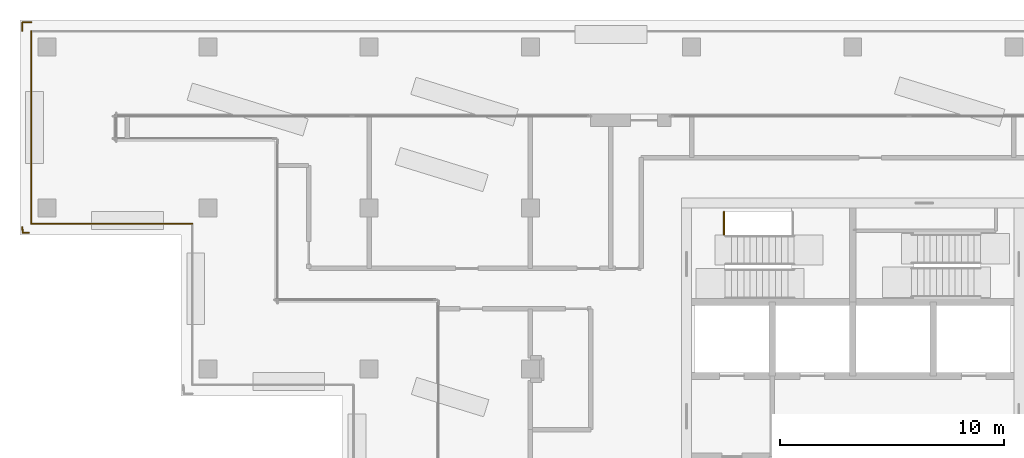
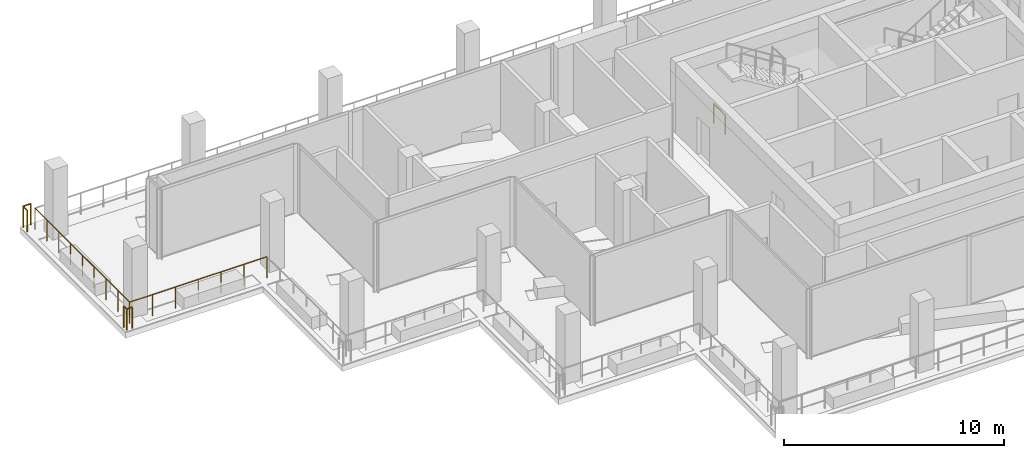
# One storey, part 17 of 20: 7 railings.
"""IFC4 building model written with IfcOpenShell, lengths in metres."""

import ifcopenshell
import ifcopenshell.guid

model = None  # the IFC model being written
_history = None  # IfcOwnerHistory: only IFC2X3 demands one
_inside = {}  # id of a spatial element -> (the spatial element, [elements in it])
_under = {}  # id of a project, library or spatial element -> (it, [spatial elements below it])
_declared = {}  # id of a project -> (the project, [libraries it declares])
_typed = {}  # id of a type object -> (the type object, [elements of that type])
_made_of = {}  # id of a material, layer set ... -> (it, [elements and type objects made of it])


def new_model(schema):
    """Start an empty IFC model of exactly this schema.

    Asked for "IFC4X3", IfcOpenShell would pick the latest addendum, in which some entities
    have other attributes; the version numbers below select the first issue.
    IFC2X3 requires an IfcOwnerHistory on every rooted entity: one is made here for all.
    """
    global model, _history
    if schema == "IFC4X3":
        model = ifcopenshell.file(schema_version=(4, 3, 0, 0))
    else:
        model = ifcopenshell.file(schema=schema)
    _inside.clear()
    _under.clear()
    _declared.clear()
    _typed.clear()
    _made_of.clear()
    _history = None
    if model.schema == "IFC2X3":
        org = make("IfcOrganization", Name="unknown")
        user = make(
            "IfcPersonAndOrganization",
            ThePerson=make("IfcPerson", FamilyName="unknown"),
            TheOrganization=org,
        )
        app = make(
            "IfcApplication",
            ApplicationDeveloper=org,
            Version="unknown",
            ApplicationFullName="unknown",
            ApplicationIdentifier="unknown",
        )
        _history = make(
            "IfcOwnerHistory",
            OwningUser=user,
            OwningApplication=app,
            ChangeAction="ADDED",
            CreationDate=0,
        )
    return model


def make(cls, **values):
    """One entity of the class cls with the attributes given. An attribute that is None is left unset."""
    return model.create_entity(
        cls, **{name: value for name, value in values.items() if value is not None}
    )


def rooted(cls, **values):
    """An entity with a GlobalId (a new one), such as an element, a storey or a relation."""
    return make(cls, GlobalId=ifcopenshell.guid.new(), OwnerHistory=_history, **values)


def si_unit(unit_type, name, prefix=None):
    """IfcSIUnit, for example si_unit("LENGTHUNIT", "METRE", prefix="MILLI")."""
    return make("IfcSIUnit", UnitType=unit_type, Prefix=prefix, Name=name)


def assignment(units):
    """IfcUnitAssignment: the units of a project."""
    return None if units is None else make("IfcUnitAssignment", Units=units)


def point(xyz):
    """IfcCartesianPoint."""
    return None if xyz is None else make("IfcCartesianPoint", Coordinates=xyz)


def direction(xyz):
    """IfcDirection."""
    return None if xyz is None else make("IfcDirection", DirectionRatios=xyz)


def frame(location, z_axis=None, x_axis=None):
    """IfcAxis2Placement3D, a coordinate frame: its origin and axes. An axis left out is left unset."""
    return make(
        "IfcAxis2Placement3D",
        Location=point(location),
        Axis=direction(z_axis),
        RefDirection=direction(x_axis),
    )


def frame_2d(location, x_axis=None):
    """IfcAxis2Placement2D, a coordinate frame in the plane: its origin and x axis."""
    return make(
        "IfcAxis2Placement2D", Location=point(location), RefDirection=direction(x_axis)
    )


def origin():
    """The frame at (0, 0, 0) with its axes left unset."""
    return frame((0.0, 0.0, 0.0))


def origin_2d():
    """The frame at (0, 0) in the plane with its x axis left unset."""
    return frame_2d((0.0, 0.0))


def place(relative_to, where):
    """IfcLocalPlacement: puts the frame where relative to a parent placement (None: the world)."""
    return make(
        "IfcLocalPlacement", PlacementRelTo=relative_to, RelativePlacement=where
    )


def context(
    kind, dimensions, precision=None, world=None, true_north=None, identifier=None
):
    """IfcGeometricRepresentationContext, for example the 3D "Model" context."""
    return make(
        "IfcGeometricRepresentationContext",
        ContextIdentifier=identifier,
        ContextType=kind,
        CoordinateSpaceDimension=dimensions,
        Precision=precision,
        WorldCoordinateSystem=world,
        TrueNorth=true_north,
    )


def subcontext(parent, identifier, kind, view, scale=None):
    """IfcGeometricRepresentationSubContext, for example "Body" below "Model"."""
    return make(
        "IfcGeometricRepresentationSubContext",
        ContextIdentifier=identifier,
        ContextType=kind,
        ParentContext=parent,
        TargetScale=scale,
        TargetView=view,
    )


def project(units=None, contexts=None):
    """IfcProject with its units and contexts."""
    return rooted(
        "IfcProject",
        Name="project",
        RepresentationContexts=contexts,
        UnitsInContext=assignment(units),
    )


def spatial(cls, under=None, at=None, **own):
    """A site, building, storey or space (cls), placed at a placement, below another one or the project."""
    s = rooted(cls, ObjectPlacement=at, **own)
    if under is not None:
        _under.setdefault(under.id(), (under, []))[1].append(s)
    return s


def profile(cls, at=None, kind="AREA", **sizes):
    """A parametric profile (cls). Its sizes go by their IFC names, for example OverallWidth=200.0."""
    return make(cls, ProfileType=kind, Position=at, **sizes)


def circle(**sizes):
    """IfcCircleProfileDef."""
    return profile("IfcCircleProfileDef", **sizes)


def extrude(swept, where, along, depth):
    """IfcExtrudedAreaSolid: the profile swept, set in the frame where, extruded along a direction by depth."""
    return make(
        "IfcExtrudedAreaSolid",
        SweptArea=swept,
        Position=where,
        ExtrudedDirection=direction(along),
        Depth=depth,
    )


def shape(context_of_items, identifier, shape_type, items):
    """IfcShapeRepresentation: the items that make up one representation, for example the "Body"."""
    return make(
        "IfcShapeRepresentation",
        ContextOfItems=context_of_items,
        RepresentationIdentifier=identifier,
        RepresentationType=shape_type,
        Items=items,
    )


def material(Name=None, Category=None):
    """IfcMaterial."""
    return make("IfcMaterial", Name=Name, Category=Category)


def made_of(thing, what):
    """Note that an element or type object is made of a material, layer set ...; save() writes the relation."""
    if what is not None:
        _made_of.setdefault(what.id(), (what, []))[1].append(thing)
    return thing


def type_object(cls, material=None, **own):
    """A type object (cls), such as IfcWallType, which elements share."""
    return made_of(rooted(cls, **own), material)


def element(
    cls,
    number,
    at=None,
    inside=None,
    cuts=None,
    type_object=None,
    material=None,
    context=None,
    identifier="Body",
    shape_type=None,
    held_by="IfcProductDefinitionShape",
    body=None,
    shapes=None,
    **own,
):
    """One element of the class cls, such as IfcWall. Its Tag is "e" and its number.

    at: its placement. inside: the storey or other place that contains it. cuts: it is an
    opening in that element (IfcRelVoidsElement). A single representation is given by context,
    identifier, shape_type and body (its items); several are given by shapes. held_by: the class
    of the entity that holds the representations. save() writes the other relations.
    """
    e = rooted(cls, Tag="e%d" % number, ObjectPlacement=at, **own)
    if body is not None:
        shapes = [shape(context, identifier, shape_type, body)]
    if shapes is not None:
        e.Representation = make(held_by, Representations=shapes)
    if inside is not None:
        _inside.setdefault(inside.id(), (inside, []))[1].append(e)
    if cuts is not None:
        rooted(
            "IfcRelVoidsElement", RelatingBuildingElement=cuts, RelatedOpeningElement=e
        )
    if type_object is not None:
        _typed.setdefault(type_object.id(), (type_object, []))[1].append(e)
    return made_of(e, material)


def aggregate(whole, parts):
    """IfcRelAggregates: a whole, such as a stair, and the parts it consists of."""
    return rooted("IfcRelAggregates", RelatingObject=whole, RelatedObjects=parts)


def save(model, path):
    """Write the relations noted so far, then the file.

    IfcRelAggregates (storeys below a building ...), IfcRelContainedInSpatialStructure (elements
    in a storey), IfcRelDefinesByType, IfcRelAssociatesMaterial and IfcRelDeclares: one each for
    every whole, place, type object, material and project.
    """
    for whole, parts in _under.values():
        aggregate(whole, parts)
    for where, things in _inside.values():
        rooted(
            "IfcRelContainedInSpatialStructure",
            RelatedElements=things,
            RelatingStructure=where,
        )
    for kind, things in _typed.values():
        rooted("IfcRelDefinesByType", RelatedObjects=things, RelatingType=kind)
    for what, things in _made_of.values():
        rooted("IfcRelAssociatesMaterial", RelatedObjects=things, RelatingMaterial=what)
    for by, libraries in _declared.values():
        rooted("IfcRelDeclares", RelatingContext=by, RelatedDefinitions=libraries)
    model.write(path)


model = new_model("IFC4")

# Units and contexts
model_context = context("Model", 3, precision=1e-05, world=origin(), true_north=direction((0.0, 1.0)))
body_context = subcontext(model_context, "Body", "Model", "MODEL_VIEW")
ifc_project = project(units=[si_unit("LENGTHUNIT", "METRE"), si_unit("AREAUNIT", "SQUARE_METRE"), si_unit("VOLUMEUNIT", "CUBIC_METRE"), si_unit("PLANEANGLEUNIT", "RADIAN"), si_unit("MASSUNIT", "GRAM", prefix="KILO")], contexts=[model_context])

# Site, building, storey
site_placement = place(None, origin())
site = spatial("IfcSite", under=ifc_project, at=site_placement, CompositionType="ELEMENT")
building_placement = place(site_placement, origin())
building = spatial("IfcBuilding", under=site, at=building_placement, Name="Windrow Commons", CompositionType="ELEMENT")
storey_placement = place(building_placement, frame((0.0, 0.0, 239.6)))
storey = spatial("IfcBuildingStorey", under=building, at=storey_placement, Name="L65", CompositionType="ELEMENT", Elevation=239.6)

# Railings
ifc_material_1 = material(Name="Steel S355", Category="steel")
railing_type_1 = type_object("IfcRailingType", Name="Core stair guard 1100", PredefinedType="GUARDRAIL", material=ifc_material_1)
railing_1_placement = place(storey_placement, frame((59.05, 63.6, 0.0)))
element("IfcRailing", 1, at=railing_1_placement, inside=storey, type_object=railing_type_1, Name="L65 ST-A1 stair guard 3", PredefinedType="GUARDRAIL", context=body_context, shape_type="SweptSolid", body=[
    extrude(circle(Radius=0.024, at=origin_2d()), frame((0.0, 0.0, 1.076), z_axis=(0.0, 1.0, 0.0), x_axis=(-1.0, 0.0, 0.0)), (0.0, 0.0, 1.0), 1.03),
    extrude(circle(Radius=0.021, at=origin_2d()), origin(), (0.0, 0.0, 1.0), 1.052),
    extrude(circle(Radius=0.021, at=origin_2d()), frame((0.0, 1.03, 0.0)), (0.0, 0.0, 1.0), 1.052),
])
ifc_material_2 = material(Name="Stainless steel S316 balustrade with toughened glass infill", Category="steel")
railing_type_2 = type_object("IfcRailingType", Name="Terrace guard 1200 podium", PredefinedType="BALUSTRADE", material=ifc_material_2)
railing_2_placement = place(storey_placement, frame((35.3, 64.1, 0.05)))
element("IfcRailing", 2, at=railing_2_placement, inside=storey, type_object=railing_type_2, Name="Guard TR-L65-1.E7", PredefinedType="BALUSTRADE", context=body_context, shape_type="SweptSolid", body=[
    extrude(circle(Radius=0.025, at=origin_2d()), frame((0.0, 0.0, 1.175), z_axis=(-1.0, 0.0, 0.0), x_axis=(0.0, -1.0, 0.0)), (0.0, 0.0, 1.0), 7.2),
    extrude(circle(Radius=0.02, at=origin_2d()), origin(), (0.0, 0.0, 1.0), 1.15),
    extrude(circle(Radius=0.02, at=origin_2d()), frame((-1.2, 0.0, 0.0)), (0.0, 0.0, 1.0), 1.15),
    extrude(circle(Radius=0.02, at=origin_2d()), frame((-2.4, 0.0, 0.0)), (0.0, 0.0, 1.0), 1.15),
    extrude(circle(Radius=0.02, at=origin_2d()), frame((-3.6, 0.0, 0.0)), (0.0, 0.0, 1.0), 1.15),
    extrude(circle(Radius=0.02, at=origin_2d()), frame((-4.8, 0.0, 0.0)), (0.0, 0.0, 1.0), 1.15),
    extrude(circle(Radius=0.02, at=origin_2d()), frame((-6.0, 0.0, 0.0)), (0.0, 0.0, 1.0), 1.15),
    extrude(circle(Radius=0.02, at=origin_2d()), frame((-7.2, 0.0, 0.0)), (0.0, 0.0, 1.0), 1.15),
])
railing_3_placement = place(storey_placement, frame((28.1, 64.1, 0.05)))
element("IfcRailing", 3, at=railing_3_placement, inside=storey, type_object=railing_type_2, Name="Guard TR-L65-1.E8", PredefinedType="BALUSTRADE", context=body_context, shape_type="SweptSolid", body=[
    extrude(circle(Radius=0.025, at=origin_2d()), frame((0.0, 0.0, 1.175), z_axis=(0.0, 1.0, 0.0), x_axis=(-1.0, 0.0, 0.0)), (0.0, 0.0, 1.0), 8.6),
    extrude(circle(Radius=0.02, at=origin_2d()), origin(), (0.0, 0.0, 1.0), 1.15),
    extrude(circle(Radius=0.02, at=origin_2d()), frame((0.0, 1.075, 0.0)), (0.0, 0.0, 1.0), 1.15),
    extrude(circle(Radius=0.02, at=origin_2d()), frame((0.0, 2.15, 0.0)), (0.0, 0.0, 1.0), 1.15),
    extrude(circle(Radius=0.02, at=origin_2d()), frame((0.0, 3.225, 0.0)), (0.0, 0.0, 1.0), 1.15),
    extrude(circle(Radius=0.02, at=origin_2d()), frame((0.0, 4.3, 0.0)), (0.0, 0.0, 1.0), 1.15),
    extrude(circle(Radius=0.02, at=origin_2d()), frame((0.0, 5.375, 0.0)), (0.0, 0.0, 1.0), 1.15),
    extrude(circle(Radius=0.02, at=origin_2d()), frame((0.0, 6.45, 0.0)), (0.0, 0.0, 1.0), 1.15),
    extrude(circle(Radius=0.02, at=origin_2d()), frame((0.0, 7.525, 0.0)), (0.0, 0.0, 1.0), 1.15),
    extrude(circle(Radius=0.02, at=origin_2d()), frame((0.0, 8.6, 0.0)), (0.0, 0.0, 1.0), 1.15),
])
railing_4_placement = place(storey_placement, frame((27.7, 72.7097, 0.05)))
element("IfcRailing", 4, at=railing_4_placement, inside=storey, type_object=railing_type_2, Name="Guard TR-L65-1.C224", PredefinedType="BALUSTRADE", context=body_context, shape_type="SweptSolid", body=[
    extrude(circle(Radius=0.025, at=origin_2d()), frame((0.0, 0.0, 1.175), z_axis=(0.0258688701, 0.9996653448, 0.0), x_axis=(-0.9996653448, 0.0258688701, 0.0)), (0.0, 0.0, 1.0), 0.3904),
    extrude(circle(Radius=0.02, at=origin_2d()), origin(), (0.0, 0.0, 1.0), 1.15),
    extrude(circle(Radius=0.02, at=origin_2d()), frame((0.0101, 0.3903, 0.0)), (0.0, 0.0, 1.0), 1.15),
])
railing_5_placement = place(storey_placement, frame((27.7101, 73.1, 0.05)))
element("IfcRailing", 5, at=railing_5_placement, inside=storey, type_object=railing_type_2, Name="Guard TR-L65-1.C225", PredefinedType="BALUSTRADE", context=body_context, shape_type="SweptSolid", body=[
    extrude(circle(Radius=0.025, at=origin_2d()), frame((0.0, 0.0, 1.175), z_axis=(1.0, 0.0, 0.0), x_axis=(0.0, 1.0, 0.0)), (0.0, 0.0, 1.0), 0.4004),
    extrude(circle(Radius=0.02, at=origin_2d()), origin(), (0.0, 0.0, 1.0), 1.15),
    extrude(circle(Radius=0.02, at=origin_2d()), frame((0.4004, 0.0, 0.0)), (0.0, 0.0, 1.0), 1.15),
])
railing_6_placement = place(storey_placement, frame((27.9981, 63.7, 0.05)))
element("IfcRailing", 6, at=railing_6_placement, inside=storey, type_object=railing_type_2, Name="Guard TR-L65-1.C226", PredefinedType="BALUSTRADE", context=body_context, shape_type="SweptSolid", body=[
    extrude(circle(Radius=0.025, at=origin_2d()), frame((0.0, 0.0, 1.175), z_axis=(-1.0, 0.0, 0.0), x_axis=(0.0, -1.0, 0.0)), (0.0, 0.0, 1.0), 0.2753),
    extrude(circle(Radius=0.02, at=origin_2d()), origin(), (0.0, 0.0, 1.0), 1.15),
    extrude(circle(Radius=0.02, at=origin_2d()), frame((-0.2753, 0.0, 0.0)), (0.0, 0.0, 1.0), 1.15),
])
railing_7_placement = place(storey_placement, frame((27.7228, 63.7, 0.05)))
element("IfcRailing", 7, at=railing_7_placement, inside=storey, type_object=railing_type_2, Name="Guard TR-L65-1.C227", PredefinedType="BALUSTRADE", context=body_context, shape_type="SweptSolid", body=[
    extrude(circle(Radius=0.025, at=origin_2d()), frame((0.0, 0.0, 1.175), z_axis=(-0.0899311448, 0.9959479852, 0.0), x_axis=(-0.9959479852, -0.0899311448, 0.0)), (0.0, 0.0, 1.0), 0.2535),
    extrude(circle(Radius=0.02, at=origin_2d()), origin(), (0.0, 0.0, 1.0), 1.15),
    extrude(circle(Radius=0.02, at=origin_2d()), frame((-0.0228, 0.2525, 0.0)), (0.0, 0.0, 1.0), 1.15),
])

save(model, "model.ifc")
